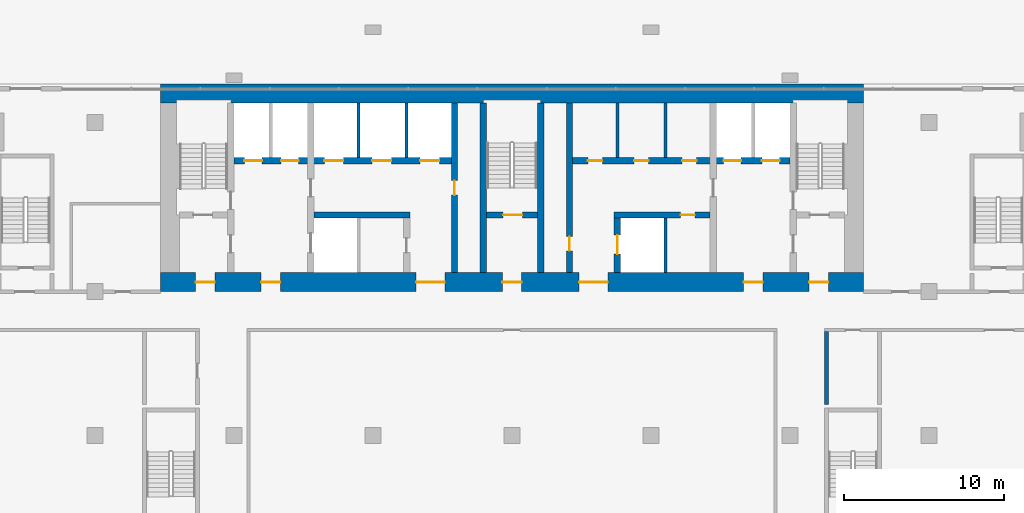
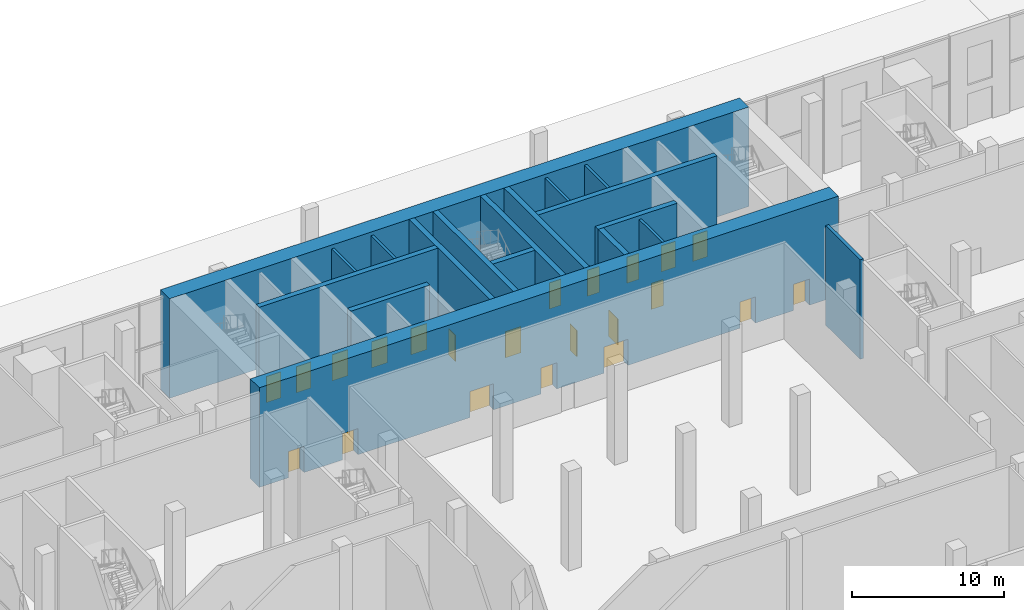
# One storey, part 25 of 31: 22 doors, 18 walls, 22 openings.
"""IFC4 building model written with IfcOpenShell, lengths in metres."""

from ifc_helpers import new_model, si_unit, direction, frame, frame_2d, origin, place, context, subcontext, project, spatial, rectangle, extrude, material, layer, layer_set, type_object, element, fill, save


model = new_model("IFC4")

# Units and contexts
model_context = context("Model", 3, precision=1e-05, world=origin(), true_north=direction((0.0, 1.0)))
body_context = subcontext(model_context, "Body", "Model", "MODEL_VIEW")
ifc_project = project(units=[si_unit("LENGTHUNIT", "METRE"), si_unit("AREAUNIT", "SQUARE_METRE"), si_unit("VOLUMEUNIT", "CUBIC_METRE"), si_unit("PLANEANGLEUNIT", "RADIAN"), si_unit("MASSUNIT", "GRAM", prefix="KILO")], contexts=[model_context])

# Site, building, storey
site_placement = place(None, origin())
site = spatial("IfcSite", under=ifc_project, at=site_placement, CompositionType="ELEMENT")
building_placement = place(site_placement, origin())
building = spatial("IfcBuilding", under=site, at=building_placement, Name="Bicima Exchange Tower", CompositionType="ELEMENT")
storey_placement = place(building_placement, origin())
storey = spatial("IfcBuildingStorey", under=building, at=storey_placement, Name="L00", CompositionType="ELEMENT", Elevation=0.0)

# Walls
ifc_material_1 = material(Name="Gypsum board partition")
ifc_layer_1 = layer(ifc_material_1, 0.199951171875)
ifc_layer_set_1 = layer_set([ifc_layer_1], Name="Gypsum board partition")
wall_type_1 = type_object("IfcWallType", Name="Fire-rated gypsum partition 200 EI120", PredefinedType="PARTITIONING", material=ifc_layer_set_1)
for number, where, z_axis, x_axis, name in (
    (1, (-9.60009765625, -4.60009765625, 0.0), (0.0, 0.0, 1.0), (0.0, 1.0, 0.0), "partition wall 12"),
    (2, (-6.60009765625, -4.60009765625, 0.0), (0.0, 0.0, 1.0), (0.0, 1.0, 0.0), "partition wall 14"),
    (3, (9.60009765625, -11.800048828125, 0.0), (0.0, 0.0, 1.0), (0.0, 1.0, 0.0), "partition wall 21"),
):
    element("IfcWall", number, at=place(storey_placement, frame(where, z_axis=z_axis, x_axis=x_axis)), inside=storey, type_object=wall_type_1, Name=name, PredefinedType="PARTITIONING", context=body_context, shape_type="SweptSolid", body=[
        extrude(rectangle(XDim=3.400146484375, YDim=0.199951171875, at=frame_2d((1.7001953125, 0.0))), origin(), (0.0, 0.0, 1.0), 7.699951171875),
    ])
ifc_layer_2 = layer(ifc_material_1, 0.199951171875)
ifc_layer_set_2 = layer_set([ifc_layer_2], Name="Gypsum board partition")
wall_type_2 = type_object("IfcWallType", Name="Fire-rated gypsum partition 200 EI60", PredefinedType="PARTITIONING", material=ifc_layer_set_2)
for number, where, z_axis, x_axis, name in (
    (4, (6.60009765625, -4.60009765625, 0.0), (0.0, 0.0, 1.0), (0.0, 1.0, 0.0), "partition wall 20"),
    (5, (9.60009765625, -4.60009765625, 0.0), (0.0, 0.0, 1.0), (0.0, 1.0, 0.0), "partition wall 22"),
):
    element("IfcWall", number, at=place(storey_placement, frame(where, z_axis=z_axis, x_axis=x_axis)), inside=storey, type_object=wall_type_2, Name=name, PredefinedType="PARTITIONING", context=body_context, shape_type="SweptSolid", body=[
        extrude(rectangle(XDim=3.400146484375, YDim=0.199951171875, at=frame_2d((1.7001953125, 0.0))), origin(), (0.0, 0.0, 1.0), 7.699951171875),
    ])
ifc_material_2 = material(Name="Concrete C60/75", Category="concrete")
ifc_layer_3 = layer(ifc_material_2, 1.199951171875)
ifc_layer_set_3 = layer_set([ifc_layer_3], Name="Concrete C60/75")
wall_type_3 = type_object("IfcWallType", Name="RC core wall 1200 C60/75", PredefinedType="SHEAR", material=ifc_layer_set_3)
wall_1_placement = place(storey_placement, frame((-22.0, -0.60009765625, 0.0), z_axis=(0.0, 0.0, 1.0), x_axis=(1.0, 0.0, 0.0)))
element("IfcWall", 6, at=wall_1_placement, inside=storey, type_object=wall_type_3, Name="Core wall north", PredefinedType="SHEAR", context=body_context, shape_type="SweptSolid", body=[
    extrude(rectangle(XDim=44.0, YDim=1.199951171875, at=frame_2d((22.0, 0.0))), origin(), (0.0, 0.0, 1.0), 8.0),
])

# Wall, openings, doors
wall_2_placement = place(storey_placement, frame((-22.0, -12.39990234375, 0.0), z_axis=(0.0, 0.0, 1.0), x_axis=(1.0, 0.0, 0.0)))
wall_2 = element("IfcWall", 7, at=wall_2_placement, inside=storey, type_object=wall_type_3, Name="Core wall south", PredefinedType="SHEAR", context=body_context, shape_type="SweptSolid", body=[
    extrude(rectangle(XDim=44.0, YDim=1.199951171875, at=frame_2d((22.0, 0.0))), origin(), (0.0, 0.0, 1.0), 8.0),
])
opening_1_placement = place(wall_2_placement, frame((2.199951171875, 0.0, 0.0)))
opening_1 = element("IfcOpeningElement", 8, at=opening_1_placement, cuts=wall_2, Name="Opening L00-C17", PredefinedType="OPENING", context=body_context, shape_type="SweptSolid", body=[
    extrude(rectangle(XDim=1.199951171875, YDim=2.10009765625, at=frame_2d((0.60009765625, 1.050048828125))), frame((0.0, 0.61181640625, 0.0), z_axis=(0.0, -1.0, 0.0), x_axis=(1.0, 0.0, 0.0)), (0.0, 0.0, 1.0), 1.223876953125),
])
opening_2_placement = place(wall_2_placement, frame((21.39990234375, 0.0, 0.0)))
opening_2 = element("IfcOpeningElement", 9, at=opening_2_placement, cuts=wall_2, Name="Opening L00-C18", PredefinedType="OPENING", context=body_context, shape_type="SweptSolid", body=[
    extrude(rectangle(XDim=1.199951171875, YDim=2.10009765625, at=frame_2d((0.60009765625, 1.050048828125))), frame((0.0, 0.61181640625, 0.0), z_axis=(0.0, -1.0, 0.0), x_axis=(1.0, 0.0, 0.0)), (0.0, 0.0, 1.0), 1.223876953125),
])
opening_3_placement = place(wall_2_placement, frame((40.60009765625, 0.0, 0.0)))
opening_3 = element("IfcOpeningElement", 10, at=opening_3_placement, cuts=wall_2, Name="Opening L00-C19", PredefinedType="OPENING", context=body_context, shape_type="SweptSolid", body=[
    extrude(rectangle(XDim=1.199951171875, YDim=2.10009765625, at=frame_2d((0.60009765625, 1.050048828125))), frame((0.0, 0.61181640625, 0.0), z_axis=(0.0, -1.0, 0.0), x_axis=(1.0, 0.0, 0.0)), (0.0, 0.0, 1.0), 1.223876953125),
])
opening_4_placement = place(wall_2_placement, frame((16.0, 0.0, 0.0)))
opening_4 = element("IfcOpeningElement", 11, at=opening_4_placement, cuts=wall_2, Name="Opening L00-C20", PredefinedType="OPENING", context=body_context, shape_type="SweptSolid", body=[
    extrude(rectangle(XDim=1.800048828125, YDim=2.10009765625, at=frame_2d((0.89990234375, 1.050048828125))), frame((0.0, 0.61181640625, 0.0), z_axis=(0.0, -1.0, 0.0), x_axis=(1.0, 0.0, 0.0)), (0.0, 0.0, 1.0), 1.223876953125),
])
opening_5_placement = place(wall_2_placement, frame((6.300048828125, 0.0, 0.0)))
opening_5 = element("IfcOpeningElement", 12, at=opening_5_placement, cuts=wall_2, Name="Opening L00-C21", PredefinedType="OPENING", context=body_context, shape_type="SweptSolid", body=[
    extrude(rectangle(XDim=1.199951171875, YDim=2.10009765625, at=frame_2d((0.60009765625, 1.050048828125))), frame((0.0, 0.61181640625, 0.0), z_axis=(0.0, -1.0, 0.0), x_axis=(1.0, 0.0, 0.0)), (0.0, 0.0, 1.0), 1.223876953125),
])
opening_6_placement = place(wall_2_placement, frame((26.199951171875, 0.0, 0.0)))
opening_6 = element("IfcOpeningElement", 13, at=opening_6_placement, cuts=wall_2, Name="Opening L00-C22", PredefinedType="OPENING", context=body_context, shape_type="SweptSolid", body=[
    extrude(rectangle(XDim=1.800048828125, YDim=2.10009765625, at=frame_2d((0.89990234375, 1.050048828125))), frame((0.0, 0.61181640625, 0.0), z_axis=(0.0, -1.0, 0.0), x_axis=(1.0, 0.0, 0.0)), (0.0, 0.0, 1.0), 1.223876953125),
])
opening_7_placement = place(wall_2_placement, frame((36.5, 0.0, 0.0)))
opening_7 = element("IfcOpeningElement", 14, at=opening_7_placement, cuts=wall_2, Name="Opening L00-C23", PredefinedType="OPENING", context=body_context, shape_type="SweptSolid", body=[
    extrude(rectangle(XDim=1.199951171875, YDim=2.10009765625, at=frame_2d((0.60009765625, 1.050048828125))), frame((0.0, 0.61181640625, 0.0), z_axis=(0.0, -1.0, 0.0), x_axis=(1.0, 0.0, 0.0)), (0.0, 0.0, 1.0), 1.223876953125),
])
ifc_material_3 = material(Name="Steel fire door leaf", Category="steel")
door_type_1 = type_object("IfcDoorType", Name="Door 1200 swing FD60S", OperationType="SINGLE_SWING_LEFT", PredefinedType="DOOR", material=ifc_material_3)
door_1_placement = place(opening_1_placement, frame((1.199951171875, 0.0, 0.0), z_axis=(0.0, 0.0, 1.0), x_axis=(-1.0, 0.0, 0.0)))
door_1 = element("IfcDoor", 15, at=door_1_placement, inside=storey, type_object=door_type_1, Name="Core door", OperationType="SINGLE_SWING_RIGHT", OverallHeight=2.10009765625, OverallWidth=1.199951171875, PredefinedType="DOOR", context=body_context, shape_type="SweptSolid", body=[
    extrude(rectangle(XDim=1.199951171875, YDim=2.10009765625, at=frame_2d((0.60009765625, 1.050048828125))), frame((0.0, 0.02490234375, 0.0), z_axis=(0.0, -1.0, 0.0), x_axis=(1.0, 0.0, 0.0)), (0.0, 0.0, 1.0), 0.050048828125),
])
fill(opening_1, door_1)
door_2_placement = place(opening_2_placement, frame((1.199951171875, 0.0, 0.0), z_axis=(0.0, 0.0, 1.0), x_axis=(-1.0, 0.0, 0.0)))
door_2 = element("IfcDoor", 16, at=door_2_placement, inside=storey, type_object=door_type_1, Name="Core door", OperationType="SINGLE_SWING_RIGHT", OverallHeight=2.10009765625, OverallWidth=1.199951171875, PredefinedType="DOOR", context=body_context, shape_type="SweptSolid", body=[
    extrude(rectangle(XDim=1.199951171875, YDim=2.10009765625, at=frame_2d((0.60009765625, 1.050048828125))), frame((0.0, 0.02490234375, 0.0), z_axis=(0.0, -1.0, 0.0), x_axis=(1.0, 0.0, 0.0)), (0.0, 0.0, 1.0), 0.050048828125),
])
fill(opening_2, door_2)
door_3_placement = place(opening_3_placement, frame((1.199951171875, 0.0, 0.0), z_axis=(0.0, 0.0, 1.0), x_axis=(-1.0, 0.0, 0.0)))
door_3 = element("IfcDoor", 17, at=door_3_placement, inside=storey, type_object=door_type_1, Name="Core door", OperationType="SINGLE_SWING_RIGHT", OverallHeight=2.10009765625, OverallWidth=1.199951171875, PredefinedType="DOOR", context=body_context, shape_type="SweptSolid", body=[
    extrude(rectangle(XDim=1.199951171875, YDim=2.10009765625, at=frame_2d((0.60009765625, 1.050048828125))), frame((0.0, 0.02490234375, 0.0), z_axis=(0.0, -1.0, 0.0), x_axis=(1.0, 0.0, 0.0)), (0.0, 0.0, 1.0), 0.050048828125),
])
fill(opening_3, door_3)
door_4_placement = place(opening_5_placement, frame((1.199951171875, 0.0, 0.0), z_axis=(0.0, 0.0, 1.0), x_axis=(-1.0, 0.0, 0.0)))
door_4 = element("IfcDoor", 18, at=door_4_placement, inside=storey, type_object=door_type_1, Name="Core door", OperationType="SINGLE_SWING_RIGHT", OverallHeight=2.10009765625, OverallWidth=1.199951171875, PredefinedType="DOOR", context=body_context, shape_type="SweptSolid", body=[
    extrude(rectangle(XDim=1.199951171875, YDim=2.10009765625, at=frame_2d((0.60009765625, 1.050048828125))), frame((0.0, 0.02490234375, 0.0), z_axis=(0.0, -1.0, 0.0), x_axis=(1.0, 0.0, 0.0)), (0.0, 0.0, 1.0), 0.050048828125),
])
fill(opening_5, door_4)
door_5_placement = place(opening_7_placement, frame((1.199951171875, 0.0, 0.0), z_axis=(0.0, 0.0, 1.0), x_axis=(-1.0, 0.0, 0.0)))
door_5 = element("IfcDoor", 19, at=door_5_placement, inside=storey, type_object=door_type_1, Name="Core door", OperationType="SINGLE_SWING_RIGHT", OverallHeight=2.10009765625, OverallWidth=1.199951171875, PredefinedType="DOOR", context=body_context, shape_type="SweptSolid", body=[
    extrude(rectangle(XDim=1.199951171875, YDim=2.10009765625, at=frame_2d((0.60009765625, 1.050048828125))), frame((0.0, 0.02490234375, 0.0), z_axis=(0.0, -1.0, 0.0), x_axis=(1.0, 0.0, 0.0)), (0.0, 0.0, 1.0), 0.050048828125),
])
fill(opening_7, door_5)
door_type_2 = type_object("IfcDoorType", Name="Door 1800 double swing FD30S", OperationType="DOUBLE_DOOR_SINGLE_SWING", PredefinedType="DOOR", material=ifc_material_3)
door_6_placement = place(opening_4_placement, origin())
door_6 = element("IfcDoor", 20, at=door_6_placement, inside=storey, type_object=door_type_2, Name="Core door", OperationType="SINGLE_SWING_LEFT", OverallHeight=2.10009765625, OverallWidth=1.800048828125, PredefinedType="DOOR", context=body_context, shape_type="SweptSolid", body=[
    extrude(rectangle(XDim=1.800048828125, YDim=2.10009765625, at=frame_2d((0.89990234375, 1.050048828125))), frame((0.0, 0.02490234375, 0.0), z_axis=(0.0, -1.0, 0.0), x_axis=(1.0, 0.0, 0.0)), (0.0, 0.0, 1.0), 0.050048828125),
])
fill(opening_4, door_6)
door_7_placement = place(opening_6_placement, origin())
door_7 = element("IfcDoor", 21, at=door_7_placement, inside=storey, type_object=door_type_2, Name="Core door", OperationType="SINGLE_SWING_LEFT", OverallHeight=2.10009765625, OverallWidth=1.800048828125, PredefinedType="DOOR", context=body_context, shape_type="SweptSolid", body=[
    extrude(rectangle(XDim=1.800048828125, YDim=2.10009765625, at=frame_2d((0.89990234375, 1.050048828125))), frame((0.0, 0.02490234375, 0.0), z_axis=(0.0, -1.0, 0.0), x_axis=(1.0, 0.0, 0.0)), (0.0, 0.0, 1.0), 0.050048828125),
])
fill(opening_6, door_7)

# Wall
ifc_material_4 = material(Name="Concrete C50/60", Category="concrete")
ifc_layer_4 = layer(ifc_material_4, 0.25)
ifc_layer_set_4 = layer_set([ifc_layer_4], Name="Concrete C50/60")
wall_type_4 = type_object("IfcWallType", Name="RC core wall 250 C50/60", PredefinedType="SHEAR", material=ifc_layer_set_4)
wall_3_placement = place(storey_placement, frame((19.699951171875, -20.050048828125, 0.0), z_axis=(0.0, 0.0, 1.0), x_axis=(0.0, 1.0, 0.0)))
element("IfcWall", 22, at=wall_3_placement, inside=storey, type_object=wall_type_4, Name="stair wall 47", PredefinedType="SHEAR", context=body_context, shape_type="SweptSolid", body=[
    extrude(rectangle(XDim=4.550048828125, YDim=0.25, at=frame_2d((2.27490234375, 0.0))), origin(), (0.0, 0.0, 1.0), 8.0),
])

# Wall, opening, door
ifc_layer_5 = layer(ifc_material_4, 0.39990234375)
ifc_layer_set_5 = layer_set([ifc_layer_5], Name="Concrete C50/60")
wall_type_5 = type_object("IfcWallType", Name="RC core wall 400 C50/60", PredefinedType="SHEAR", material=ifc_layer_set_5)
wall_4_placement = place(storey_placement, frame((-1.60009765625, -8.199951171875, 0.0), z_axis=(0.0, 0.0, 1.0), x_axis=(1.0, 0.0, 0.0)))
wall_4 = element("IfcWall", 23, at=wall_4_placement, inside=storey, type_object=wall_type_5, Name="stair wall 3", PredefinedType="SHEAR", context=body_context, shape_type="SweptSolid", body=[
    extrude(rectangle(XDim=3.2001953125, YDim=0.39990234375, at=frame_2d((1.60009765625, 0.0))), origin(), (0.0, 0.0, 1.0), 8.0),
])
opening_8_placement = place(wall_4_placement, frame((1.050048828125, 0.0, 0.0)))
opening_8 = element("IfcOpeningElement", 24, at=opening_8_placement, cuts=wall_4, Name="Opening L00-C03", PredefinedType="OPENING", context=body_context, shape_type="SweptSolid", body=[
    extrude(rectangle(XDim=1.199951171875, YDim=2.10009765625, at=frame_2d((0.60009765625, 1.050048828125))), frame((0.0, 0.2119140625, 0.0), z_axis=(0.0, -1.0, 0.0), x_axis=(1.0, 0.0, 0.0)), (0.0, 0.0, 1.0), 0.423828125),
])
door_8_placement = place(opening_8_placement, origin())
door_8 = element("IfcDoor", 25, at=door_8_placement, inside=storey, type_object=door_type_1, Name="Core door", OperationType="SINGLE_SWING_LEFT", OverallHeight=2.10009765625, OverallWidth=1.199951171875, PredefinedType="DOOR", context=body_context, shape_type="SweptSolid", body=[
    extrude(rectangle(XDim=1.199951171875, YDim=2.10009765625, at=frame_2d((0.60009765625, 1.050048828125))), frame((0.0, 0.02490234375, 0.0), z_axis=(0.0, -1.0, 0.0), x_axis=(1.0, 0.0, 0.0)), (0.0, 0.0, 1.0), 0.050048828125),
])
fill(opening_8, door_8)

# Walls
for number, where, z_axis, x_axis, name in (
    (26, (-1.800048828125, -11.800048828125, 0.0), (0.0, 0.0, 1.0), (0.0, 1.0, 0.0), "stair wall 16"),
    (27, (1.800048828125, -11.800048828125, 0.0), (0.0, 0.0, 1.0), (0.0, 1.0, 0.0), "stair wall 17"),
):
    element("IfcWall", number, at=place(storey_placement, frame(where, z_axis=z_axis, x_axis=x_axis)), inside=storey, type_object=wall_type_5, Name=name, PredefinedType="SHEAR", context=body_context, shape_type="SweptSolid", body=[
        extrude(rectangle(XDim=10.60009765625, YDim=0.39990234375, at=frame_2d((5.300048828125, 0.0))), origin(), (0.0, 0.0, 1.0), 8.0),
    ])
ifc_layer_6 = layer(ifc_material_2, 0.39990234375)
ifc_layer_set_6 = layer_set([ifc_layer_6], Name="Concrete C60/75")
wall_type_6 = type_object("IfcWallType", Name="RC core wall 400 C60/75", PredefinedType="SHEAR", material=ifc_layer_set_6)
wall_5_placement = place(storey_placement, frame((-12.39990234375, -8.199951171875, 0.0), z_axis=(0.0, 0.0, 1.0), x_axis=(1.0, 0.0, 0.0)))
element("IfcWall", 28, at=wall_5_placement, inside=storey, type_object=wall_type_6, Name="shear wall 2", PredefinedType="SHEAR", context=body_context, shape_type="SweptSolid", body=[
    extrude(rectangle(XDim=6.0, YDim=0.39990234375, at=frame_2d((3.0, 0.0))), origin(), (0.0, 0.0, 1.0), 8.0),
])

# Wall, opening, door
wall_6_placement = place(storey_placement, frame((6.39990234375, -8.199951171875, 0.0), z_axis=(0.0, 0.0, 1.0), x_axis=(1.0, 0.0, 0.0)))
wall_6 = element("IfcWall", 29, at=wall_6_placement, inside=storey, type_object=wall_type_6, Name="shear wall 4", PredefinedType="SHEAR", context=body_context, shape_type="SweptSolid", body=[
    extrude(rectangle(XDim=6.0, YDim=0.39990234375, at=frame_2d((3.0, 0.0))), origin(), (0.0, 0.0, 1.0), 8.0),
])
opening_9_placement = place(wall_6_placement, frame((4.14990234375, 0.0, 0.0)))
opening_9 = element("IfcOpeningElement", 30, at=opening_9_placement, cuts=wall_6, Name="Opening L00-C16", PredefinedType="OPENING", context=body_context, shape_type="SweptSolid", body=[
    extrude(rectangle(XDim=0.89990234375, YDim=2.10009765625, at=frame_2d((0.449951171875, 1.050048828125))), frame((0.0, 0.2119140625, 0.0), z_axis=(0.0, -1.0, 0.0), x_axis=(1.0, 0.0, 0.0)), (0.0, 0.0, 1.0), 0.423828125),
])
door_type_3 = type_object("IfcDoorType", Name="Door 900 swing FD30S", OperationType="SINGLE_SWING_LEFT", PredefinedType="DOOR", material=ifc_material_3)
door_9_placement = place(opening_9_placement, frame((0.89990234375, 0.0, 0.0), z_axis=(0.0, 0.0, 1.0), x_axis=(-1.0, 0.0, 0.0)))
door_9 = element("IfcDoor", 31, at=door_9_placement, inside=storey, type_object=door_type_3, Name="Core door", OperationType="SINGLE_SWING_LEFT", OverallHeight=2.10009765625, OverallWidth=0.89990234375, PredefinedType="DOOR", context=body_context, shape_type="SweptSolid", body=[
    extrude(rectangle(XDim=0.89990234375, YDim=2.10009765625, at=frame_2d((0.449951171875, 1.050048828125))), frame((0.0, 0.02490234375, 0.0), z_axis=(0.0, -1.0, 0.0), x_axis=(1.0, 0.0, 0.0)), (0.0, 0.0, 1.0), 0.050048828125),
])
fill(opening_9, door_9)

# Wall, openings, doors
wall_7_placement = place(storey_placement, frame((-17.39990234375, -4.800048828125, 0.0), z_axis=(0.0, 0.0, 1.0), x_axis=(1.0, 0.0, 0.0)))
wall_7 = element("IfcWall", 32, at=wall_7_placement, inside=storey, type_object=wall_type_6, Name="shear wall 6", PredefinedType="SHEAR", context=body_context, shape_type="SweptSolid", body=[
    extrude(rectangle(XDim=13.599853515625, YDim=0.39990234375, at=frame_2d((6.7998046875, 0.0))), origin(), (0.0, 0.0, 1.0), 8.0),
])
opening_10_placement = place(wall_7_placement, frame((0.64990234375, 0.0, 0.0)))
opening_10 = element("IfcOpeningElement", 33, at=opening_10_placement, cuts=wall_7, Name="Opening LD-FF1-L00", PredefinedType="OPENING", context=body_context, shape_type="SweptSolid", body=[
    extrude(rectangle(XDim=1.10009765625, YDim=2.10009765625, at=frame_2d((0.550048828125, 1.050048828125))), frame((0.0, 0.2119140625, 0.0), z_axis=(0.0, -1.0, 0.0), x_axis=(1.0, 0.0, 0.0)), (0.0, 0.0, 1.0), 0.423828125),
])
opening_11_placement = place(wall_7_placement, frame((2.949951171875, 0.0, 0.0)))
opening_11 = element("IfcOpeningElement", 34, at=opening_11_placement, cuts=wall_7, Name="Opening LD-FF3-L00", PredefinedType="OPENING", context=body_context, shape_type="SweptSolid", body=[
    extrude(rectangle(XDim=1.10009765625, YDim=2.10009765625, at=frame_2d((0.550048828125, 1.050048828125))), frame((0.0, 0.2119140625, 0.0), z_axis=(0.0, -1.0, 0.0), x_axis=(1.0, 0.0, 0.0)), (0.0, 0.0, 1.0), 0.423828125),
])
opening_12_placement = place(wall_7_placement, frame((5.64990234375, 0.0, 0.0)))
opening_12 = element("IfcOpeningElement", 35, at=opening_12_placement, cuts=wall_7, Name="Opening LD-LB1-L00", PredefinedType="OPENING", context=body_context, shape_type="SweptSolid", body=[
    extrude(rectangle(XDim=1.199951171875, YDim=2.10009765625, at=frame_2d((0.60009765625, 1.050048828125))), frame((0.0, 0.2119140625, 0.0), z_axis=(0.0, -1.0, 0.0), x_axis=(1.0, 0.0, 0.0)), (0.0, 0.0, 1.0), 0.423828125),
])
opening_13_placement = place(wall_7_placement, frame((8.64990234375, 0.0, 0.0)))
opening_13 = element("IfcOpeningElement", 36, at=opening_13_placement, cuts=wall_7, Name="Opening LD-LB2-L00", PredefinedType="OPENING", context=body_context, shape_type="SweptSolid", body=[
    extrude(rectangle(XDim=1.199951171875, YDim=2.10009765625, at=frame_2d((0.60009765625, 1.050048828125))), frame((0.0, 0.2119140625, 0.0), z_axis=(0.0, -1.0, 0.0), x_axis=(1.0, 0.0, 0.0)), (0.0, 0.0, 1.0), 0.423828125),
])
opening_14_placement = place(wall_7_placement, frame((11.64990234375, 0.0, 0.0)))
opening_14 = element("IfcOpeningElement", 37, at=opening_14_placement, cuts=wall_7, Name="Opening LD-LB3-L00", PredefinedType="OPENING", context=body_context, shape_type="SweptSolid", body=[
    extrude(rectangle(XDim=1.199951171875, YDim=2.10009765625, at=frame_2d((0.60009765625, 1.050048828125))), frame((0.0, 0.2119140625, 0.0), z_axis=(0.0, -1.0, 0.0), x_axis=(1.0, 0.0, 0.0)), (0.0, 0.0, 1.0), 0.423828125),
])
ifc_material_5 = material(Name="Stainless steel", Category="steel")
door_type_4 = type_object("IfcDoorType", Name="Lift landing door 1100 sliding", OperationType="DOUBLE_DOOR_SLIDING", PredefinedType="DOOR", material=ifc_material_5)
door_10_placement = place(opening_10_placement, origin())
door_10 = element("IfcDoor", 38, at=door_10_placement, inside=storey, type_object=door_type_4, Name="Lift landing door FF1", OperationType="DOUBLE_DOOR_SLIDING", OverallHeight=2.10009765625, OverallWidth=1.10009765625, PredefinedType="DOOR", context=body_context, shape_type="SweptSolid", body=[
    extrude(rectangle(XDim=1.10009765625, YDim=2.10009765625, at=frame_2d((0.550048828125, 1.050048828125))), frame((0.0, 0.02490234375, 0.0), z_axis=(0.0, -1.0, 0.0), x_axis=(1.0, 0.0, 0.0)), (0.0, 0.0, 1.0), 0.050048828125),
])
fill(opening_10, door_10)
door_11_placement = place(opening_11_placement, origin())
door_11 = element("IfcDoor", 39, at=door_11_placement, inside=storey, type_object=door_type_4, Name="Lift landing door FF3", OperationType="DOUBLE_DOOR_SLIDING", OverallHeight=2.10009765625, OverallWidth=1.10009765625, PredefinedType="DOOR", context=body_context, shape_type="SweptSolid", body=[
    extrude(rectangle(XDim=1.10009765625, YDim=2.10009765625, at=frame_2d((0.550048828125, 1.050048828125))), frame((0.0, 0.02490234375, 0.0), z_axis=(0.0, -1.0, 0.0), x_axis=(1.0, 0.0, 0.0)), (0.0, 0.0, 1.0), 0.050048828125),
])
fill(opening_11, door_11)
door_type_5 = type_object("IfcDoorType", Name="Lift landing door 1200 sliding", OperationType="DOUBLE_DOOR_SLIDING", PredefinedType="DOOR", material=ifc_material_5)
door_12_placement = place(opening_12_placement, origin())
door_12 = element("IfcDoor", 40, at=door_12_placement, inside=storey, type_object=door_type_5, Name="Lift landing door LB1", OperationType="DOUBLE_DOOR_SLIDING", OverallHeight=2.10009765625, OverallWidth=1.199951171875, PredefinedType="DOOR", context=body_context, shape_type="SweptSolid", body=[
    extrude(rectangle(XDim=1.199951171875, YDim=2.10009765625, at=frame_2d((0.60009765625, 1.050048828125))), frame((0.0, 0.02490234375, 0.0), z_axis=(0.0, -1.0, 0.0), x_axis=(1.0, 0.0, 0.0)), (0.0, 0.0, 1.0), 0.050048828125),
])
fill(opening_12, door_12)
door_13_placement = place(opening_13_placement, origin())
door_13 = element("IfcDoor", 41, at=door_13_placement, inside=storey, type_object=door_type_5, Name="Lift landing door LB2", OperationType="DOUBLE_DOOR_SLIDING", OverallHeight=2.10009765625, OverallWidth=1.199951171875, PredefinedType="DOOR", context=body_context, shape_type="SweptSolid", body=[
    extrude(rectangle(XDim=1.199951171875, YDim=2.10009765625, at=frame_2d((0.60009765625, 1.050048828125))), frame((0.0, 0.02490234375, 0.0), z_axis=(0.0, -1.0, 0.0), x_axis=(1.0, 0.0, 0.0)), (0.0, 0.0, 1.0), 0.050048828125),
])
fill(opening_13, door_13)
door_14_placement = place(opening_14_placement, origin())
door_14 = element("IfcDoor", 42, at=door_14_placement, inside=storey, type_object=door_type_5, Name="Lift landing door LB3", OperationType="DOUBLE_DOOR_SLIDING", OverallHeight=2.10009765625, OverallWidth=1.199951171875, PredefinedType="DOOR", context=body_context, shape_type="SweptSolid", body=[
    extrude(rectangle(XDim=1.199951171875, YDim=2.10009765625, at=frame_2d((0.60009765625, 1.050048828125))), frame((0.0, 0.02490234375, 0.0), z_axis=(0.0, -1.0, 0.0), x_axis=(1.0, 0.0, 0.0)), (0.0, 0.0, 1.0), 0.050048828125),
])
fill(opening_14, door_14)

wall_8_placement = place(storey_placement, frame((3.800048828125, -4.800048828125, 0.0), z_axis=(0.0, 0.0, 1.0), x_axis=(1.0, 0.0, 0.0)))
wall_8 = element("IfcWall", 43, at=wall_8_placement, inside=storey, type_object=wall_type_6, Name="shear wall 7", PredefinedType="SHEAR", context=body_context, shape_type="SweptSolid", body=[
    extrude(rectangle(XDim=13.599853515625, YDim=0.39990234375, at=frame_2d((6.7998046875, 0.0))), origin(), (0.0, 0.0, 1.0), 8.0),
])
opening_15_placement = place(wall_8_placement, frame((9.449951171875, 0.0, 0.0)))
opening_15 = element("IfcOpeningElement", 44, at=opening_15_placement, cuts=wall_8, Name="Opening LD-FF2-L00", PredefinedType="OPENING", context=body_context, shape_type="SweptSolid", body=[
    extrude(rectangle(XDim=1.10009765625, YDim=2.10009765625, at=frame_2d((0.550048828125, 1.050048828125))), frame((0.0, 0.2119140625, 0.0), z_axis=(0.0, -1.0, 0.0), x_axis=(1.0, 0.0, 0.0)), (0.0, 0.0, 1.0), 0.423828125),
])
opening_16_placement = place(wall_8_placement, frame((11.85009765625, 0.0, 0.0)))
opening_16 = element("IfcOpeningElement", 45, at=opening_16_placement, cuts=wall_8, Name="Opening LD-SV1-L00", PredefinedType="OPENING", context=body_context, shape_type="SweptSolid", body=[
    extrude(rectangle(XDim=1.10009765625, YDim=2.10009765625, at=frame_2d((0.550048828125, 1.050048828125))), frame((0.0, 0.2119140625, 0.0), z_axis=(0.0, -1.0, 0.0), x_axis=(1.0, 0.0, 0.0)), (0.0, 0.0, 1.0), 0.423828125),
])
opening_17_placement = place(wall_8_placement, frame((0.949951171875, 0.0, 0.0)))
opening_17 = element("IfcOpeningElement", 46, at=opening_17_placement, cuts=wall_8, Name="Opening L00-C12", PredefinedType="OPENING", context=body_context, shape_type="SweptSolid", body=[
    extrude(rectangle(XDim=0.89990234375, YDim=2.10009765625, at=frame_2d((0.449951171875, 1.050048828125))), frame((0.0, 0.2119140625, 0.0), z_axis=(0.0, -1.0, 0.0), x_axis=(1.0, 0.0, 0.0)), (0.0, 0.0, 1.0), 0.423828125),
])
opening_18_placement = place(wall_8_placement, frame((3.85009765625, 0.0, 0.0)))
opening_18 = element("IfcOpeningElement", 47, at=opening_18_placement, cuts=wall_8, Name="Opening L00-C13", PredefinedType="OPENING", context=body_context, shape_type="SweptSolid", body=[
    extrude(rectangle(XDim=0.89990234375, YDim=2.10009765625, at=frame_2d((0.449951171875, 1.050048828125))), frame((0.0, 0.2119140625, 0.0), z_axis=(0.0, -1.0, 0.0), x_axis=(1.0, 0.0, 0.0)), (0.0, 0.0, 1.0), 0.423828125),
])
opening_19_placement = place(wall_8_placement, frame((6.85009765625, 0.0, 0.0)))
opening_19 = element("IfcOpeningElement", 48, at=opening_19_placement, cuts=wall_8, Name="Opening L00-C14", PredefinedType="OPENING", context=body_context, shape_type="SweptSolid", body=[
    extrude(rectangle(XDim=0.89990234375, YDim=2.10009765625, at=frame_2d((0.449951171875, 1.050048828125))), frame((0.0, 0.2119140625, 0.0), z_axis=(0.0, -1.0, 0.0), x_axis=(1.0, 0.0, 0.0)), (0.0, 0.0, 1.0), 0.423828125),
])
door_15_placement = place(opening_17_placement, origin())
door_15 = element("IfcDoor", 49, at=door_15_placement, inside=storey, type_object=door_type_3, Name="Core door", OperationType="SINGLE_SWING_RIGHT", OverallHeight=2.10009765625, OverallWidth=0.89990234375, PredefinedType="DOOR", context=body_context, shape_type="SweptSolid", body=[
    extrude(rectangle(XDim=0.89990234375, YDim=2.10009765625, at=frame_2d((0.449951171875, 1.050048828125))), frame((0.0, 0.02490234375, 0.0), z_axis=(0.0, -1.0, 0.0), x_axis=(1.0, 0.0, 0.0)), (0.0, 0.0, 1.0), 0.050048828125),
])
fill(opening_17, door_15)
door_16_placement = place(opening_18_placement, origin())
door_16 = element("IfcDoor", 50, at=door_16_placement, inside=storey, type_object=door_type_3, Name="Core door", OperationType="SINGLE_SWING_LEFT", OverallHeight=2.10009765625, OverallWidth=0.89990234375, PredefinedType="DOOR", context=body_context, shape_type="SweptSolid", body=[
    extrude(rectangle(XDim=0.89990234375, YDim=2.10009765625, at=frame_2d((0.449951171875, 1.050048828125))), frame((0.0, 0.02490234375, 0.0), z_axis=(0.0, -1.0, 0.0), x_axis=(1.0, 0.0, 0.0)), (0.0, 0.0, 1.0), 0.050048828125),
])
fill(opening_18, door_16)
door_17_placement = place(opening_19_placement, origin())
door_17 = element("IfcDoor", 51, at=door_17_placement, inside=storey, type_object=door_type_3, Name="Core door", OperationType="SINGLE_SWING_RIGHT", OverallHeight=2.10009765625, OverallWidth=0.89990234375, PredefinedType="DOOR", context=body_context, shape_type="SweptSolid", body=[
    extrude(rectangle(XDim=0.89990234375, YDim=2.10009765625, at=frame_2d((0.449951171875, 1.050048828125))), frame((0.0, 0.02490234375, 0.0), z_axis=(0.0, -1.0, 0.0), x_axis=(1.0, 0.0, 0.0)), (0.0, 0.0, 1.0), 0.050048828125),
])
fill(opening_19, door_17)
door_18_placement = place(opening_15_placement, origin())
door_18 = element("IfcDoor", 52, at=door_18_placement, inside=storey, type_object=door_type_4, Name="Lift landing door FF2", OperationType="DOUBLE_DOOR_SLIDING", OverallHeight=2.10009765625, OverallWidth=1.10009765625, PredefinedType="DOOR", context=body_context, shape_type="SweptSolid", body=[
    extrude(rectangle(XDim=1.10009765625, YDim=2.10009765625, at=frame_2d((0.550048828125, 1.050048828125))), frame((0.0, 0.02490234375, 0.0), z_axis=(0.0, -1.0, 0.0), x_axis=(1.0, 0.0, 0.0)), (0.0, 0.0, 1.0), 0.050048828125),
])
fill(opening_15, door_18)
door_19_placement = place(opening_16_placement, origin())
door_19 = element("IfcDoor", 53, at=door_19_placement, inside=storey, type_object=door_type_4, Name="Lift landing door SV1", OperationType="DOUBLE_DOOR_SLIDING", OverallHeight=2.10009765625, OverallWidth=1.10009765625, PredefinedType="DOOR", context=body_context, shape_type="SweptSolid", body=[
    extrude(rectangle(XDim=1.10009765625, YDim=2.10009765625, at=frame_2d((0.550048828125, 1.050048828125))), frame((0.0, 0.02490234375, 0.0), z_axis=(0.0, -1.0, 0.0), x_axis=(1.0, 0.0, 0.0)), (0.0, 0.0, 1.0), 0.050048828125),
])
fill(opening_16, door_19)

# Wall, opening, door
wall_9_placement = place(storey_placement, frame((-3.60009765625, -11.800048828125, 0.0), z_axis=(0.0, 0.0, 1.0), x_axis=(0.0, 1.0, 0.0)))
wall_9 = element("IfcWall", 54, at=wall_9_placement, inside=storey, type_object=wall_type_6, Name="shear wall 15", PredefinedType="SHEAR", context=body_context, shape_type="SweptSolid", body=[
    extrude(rectangle(XDim=10.60009765625, YDim=0.39990234375, at=frame_2d((5.300048828125, 0.0))), origin(), (0.0, 0.0, 1.0), 8.0),
])
opening_20_placement = place(wall_9_placement, frame((4.85009765625, 0.0, 0.0)))
opening_20 = element("IfcOpeningElement", 55, at=opening_20_placement, cuts=wall_9, Name="Opening L00-C10", PredefinedType="OPENING", context=body_context, shape_type="SweptSolid", body=[
    extrude(rectangle(XDim=0.89990234375, YDim=2.10009765625, at=frame_2d((0.449951171875, 1.050048828125))), frame((0.0, 0.2119140625, 0.0), z_axis=(0.0, -1.0, 0.0), x_axis=(1.0, 0.0, 0.0)), (0.0, 0.0, 1.0), 0.423828125),
])
door_20_placement = place(opening_20_placement, frame((0.89990234375, 0.0, 0.0), z_axis=(0.0, 0.0, 1.0), x_axis=(-1.0, 0.0, 0.0)))
door_20 = element("IfcDoor", 56, at=door_20_placement, inside=storey, type_object=door_type_3, Name="Core door", OperationType="SINGLE_SWING_LEFT", OverallHeight=2.10009765625, OverallWidth=0.89990234375, PredefinedType="DOOR", context=body_context, shape_type="SweptSolid", body=[
    extrude(rectangle(XDim=0.89990234375, YDim=2.10009765625, at=frame_2d((0.449951171875, 1.050048828125))), frame((0.0, 0.02490234375, 0.0), z_axis=(0.0, -1.0, 0.0), x_axis=(1.0, 0.0, 0.0)), (0.0, 0.0, 1.0), 0.050048828125),
])
fill(opening_20, door_20)

wall_10_placement = place(storey_placement, frame((3.60009765625, -11.800048828125, 0.0), z_axis=(0.0, 0.0, 1.0), x_axis=(0.0, 1.0, 0.0)))
wall_10 = element("IfcWall", 57, at=wall_10_placement, inside=storey, type_object=wall_type_6, Name="shear wall 18", PredefinedType="SHEAR", context=body_context, shape_type="SweptSolid", body=[
    extrude(rectangle(XDim=10.60009765625, YDim=0.39990234375, at=frame_2d((5.300048828125, 0.0))), origin(), (0.0, 0.0, 1.0), 8.0),
])
opening_21_placement = place(wall_10_placement, frame((1.35009765625, 0.0, 0.0)))
opening_21 = element("IfcOpeningElement", 58, at=opening_21_placement, cuts=wall_10, Name="Opening L00-C11", PredefinedType="OPENING", context=body_context, shape_type="SweptSolid", body=[
    extrude(rectangle(XDim=0.89990234375, YDim=2.10009765625, at=frame_2d((0.449951171875, 1.050048828125))), frame((0.0, 0.2119140625, 0.0), z_axis=(0.0, -1.0, 0.0), x_axis=(1.0, 0.0, 0.0)), (0.0, 0.0, 1.0), 0.423828125),
])
door_21_placement = place(opening_21_placement, origin())
door_21 = element("IfcDoor", 59, at=door_21_placement, inside=storey, type_object=door_type_3, Name="Core door", OperationType="SINGLE_SWING_LEFT", OverallHeight=2.10009765625, OverallWidth=0.89990234375, PredefinedType="DOOR", context=body_context, shape_type="SweptSolid", body=[
    extrude(rectangle(XDim=0.89990234375, YDim=2.10009765625, at=frame_2d((0.449951171875, 1.050048828125))), frame((0.0, 0.02490234375, 0.0), z_axis=(0.0, -1.0, 0.0), x_axis=(1.0, 0.0, 0.0)), (0.0, 0.0, 1.0), 0.050048828125),
])
fill(opening_21, door_21)

wall_11_placement = place(storey_placement, frame((6.60009765625, -11.800048828125, 0.0), z_axis=(0.0, 0.0, 1.0), x_axis=(0.0, 1.0, 0.0)))
wall_11 = element("IfcWall", 60, at=wall_11_placement, inside=storey, type_object=wall_type_6, Name="shear wall 19", PredefinedType="SHEAR", context=body_context, shape_type="SweptSolid", body=[
    extrude(rectangle(XDim=3.400146484375, YDim=0.39990234375, at=frame_2d((1.7001953125, 0.0))), origin(), (0.0, 0.0, 1.0), 8.0),
])
opening_22_placement = place(wall_11_placement, frame((1.14990234375, 0.0, 0.0)))
opening_22 = element("IfcOpeningElement", 61, at=opening_22_placement, cuts=wall_11, Name="Opening LD-SH2-L00", PredefinedType="OPENING", context=body_context, shape_type="SweptSolid", body=[
    extrude(rectangle(XDim=1.199951171875, YDim=2.10009765625, at=frame_2d((0.60009765625, 1.050048828125))), frame((0.0, 0.2119140625, 0.0), z_axis=(0.0, -1.0, 0.0), x_axis=(1.0, 0.0, 0.0)), (0.0, 0.0, 1.0), 0.423828125),
])
door_22_placement = place(opening_22_placement, origin())
door_22 = element("IfcDoor", 62, at=door_22_placement, inside=storey, type_object=door_type_5, Name="Lift landing door SH2", OperationType="DOUBLE_DOOR_SLIDING", OverallHeight=2.10009765625, OverallWidth=1.199951171875, PredefinedType="DOOR", context=body_context, shape_type="SweptSolid", body=[
    extrude(rectangle(XDim=1.199951171875, YDim=2.10009765625, at=frame_2d((0.60009765625, 1.050048828125))), frame((0.0, 0.02490234375, 0.0), z_axis=(0.0, -1.0, 0.0), x_axis=(1.0, 0.0, 0.0)), (0.0, 0.0, 1.0), 0.050048828125),
])
fill(opening_22, door_22)

save(model, "model.ifc")
